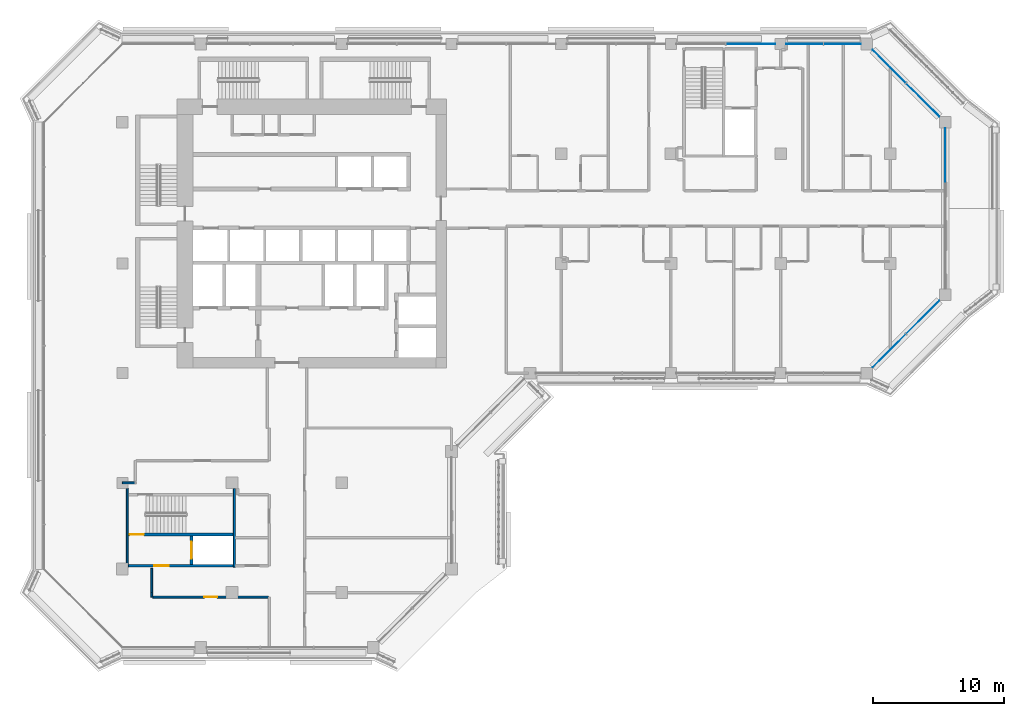
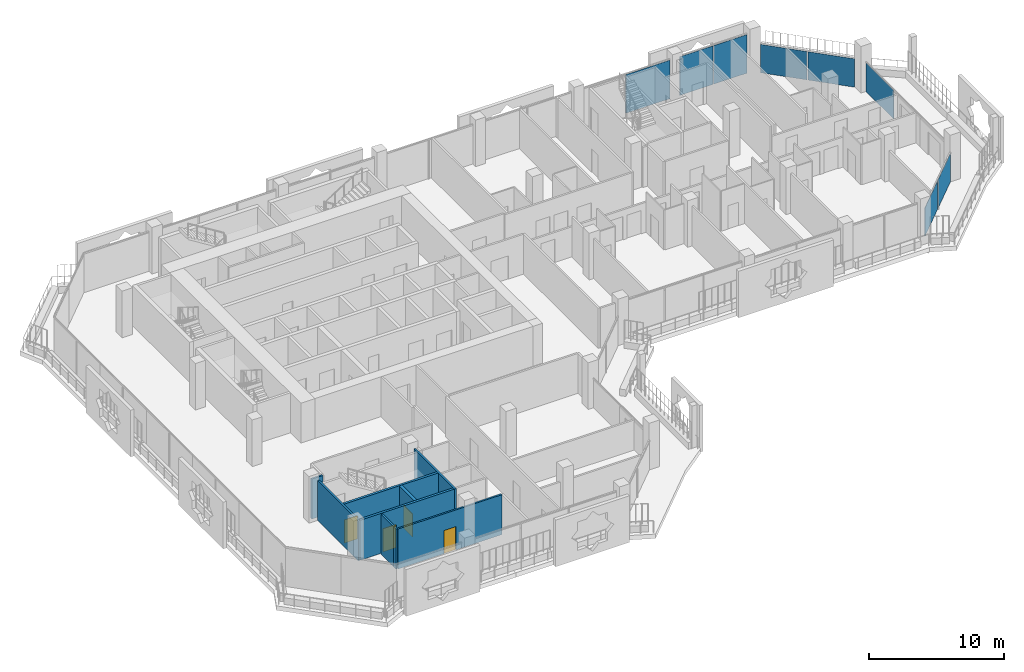
# One storey, part 9 of 23: 9 walls, 8 plates, 4 doors, 4 openings, 4 elements without a shape of their own.
"""IFC4 building model written with IfcOpenShell, lengths in metres."""

from ifc_helpers import new_model, si_unit, direction, frame, frame_2d, origin, origin_2d, place, context, subcontext, project, spatial, rectangle, extrude, material, layer, layer_set, type_object, element, fill, aggregate, save


model = new_model("IFC4")

# Units and contexts
model_context = context("Model", 3, precision=1e-05, world=origin(), true_north=direction((0.0, 1.0)))
body_context = subcontext(model_context, "Body", "Model", "MODEL_VIEW")
ifc_project = project(units=[si_unit("LENGTHUNIT", "METRE"), si_unit("AREAUNIT", "SQUARE_METRE"), si_unit("VOLUMEUNIT", "CUBIC_METRE"), si_unit("PLANEANGLEUNIT", "RADIAN"), si_unit("MASSUNIT", "GRAM", prefix="KILO")], contexts=[model_context])

# Site, building, storey
site_placement = place(None, origin())
site = spatial("IfcSite", under=ifc_project, at=site_placement, CompositionType="ELEMENT")
building_placement = place(site_placement, origin())
building = spatial("IfcBuilding", under=site, at=building_placement, Name="Kawkab Arch Medical Tower", CompositionType="ELEMENT")
storey_placement = place(building_placement, frame((0.0, 0.0, 247.39990234375)))
storey = spatial("IfcBuildingStorey", under=building, at=storey_placement, Name="L57", CompositionType="ELEMENT", Elevation=247.39990234375)

# Curtain wall, plate
ifc_material_1 = material(Name="Bronze anodised aluminium curtain wall frame", Category="aluminium")
ifc_layer_1 = layer(ifc_material_1, 0.159912109375)
ifc_layer_set_1 = layer_set([ifc_layer_1], Name="Bronze anodised aluminium curtain wall frame")
curtain_wall_type_1 = type_object("IfcCurtainWallType", Name="CW1 ward curtain wall", PredefinedType="NOTDEFINED", material=ifc_layer_set_1)
placement = place(storey_placement, origin())
curtain_wall_1 = element("IfcCurtainWall", 1, at=placement, inside=storey, type_object=curtain_wall_type_1, Name="CW1 Ward curtain wall R09", PredefinedType="NOTDEFINED")
ifc_material_2 = material(Name="Tinted insulating glass, bronze low-e coating", Category="glass")
ifc_layer_2 = layer(ifc_material_2, 0.031982421875)
ifc_layer_set_2 = layer_set([ifc_layer_2], Name="Tinted insulating glass, bronze low-e coating")
plate_type_1 = type_object("IfcPlateType", Name="CW1 glazing unit 32", PredefinedType="CURTAIN_PANEL", material=ifc_layer_set_2)
plate_1_placement = place(storey_placement, frame((63.0, -8.5, 0.0), z_axis=(0.0, 0.0, 1.0), x_axis=(0.0, 1.0, 0.0)))
plate_1 = element("IfcPlate", 2, at=plate_1_placement, type_object=plate_type_1, Name="CW1 glazing unit 1.3", PredefinedType="CURTAIN_PANEL", context=body_context, shape_type="SweptSolid", body=[
    extrude(rectangle(XDim=4.10009765625, YDim=0.031982421875, at=origin_2d()), origin(), (0.0, 0.0, 1.0), 2.580078125),
])
aggregate(curtain_wall_1, [plate_1])

# Curtain wall, plates
curtain_wall_2 = element("IfcCurtainWall", 3, at=placement, inside=storey, type_object=curtain_wall_type_1, Name="CW1 Ward curtain wall R11", PredefinedType="NOTDEFINED")
plate_2_placement = place(storey_placement, frame((55.1337890625, 0.0, 0.0), z_axis=(0.0, 0.0, 1.0), x_axis=(-1.0, 0.0, 0.0)))
plate_2 = element("IfcPlate", 4, at=plate_2_placement, type_object=plate_type_1, Name="CW1 glazing unit 1.1", PredefinedType="CURTAIN_PANEL", context=body_context, shape_type="SweptSolid", body=[
    extrude(rectangle(XDim=2.83251953125, YDim=0.031982421875, at=origin_2d()), origin(), (0.0, 0.0, 1.0), 3.47998046875),
])
plate_3_placement = place(storey_placement, frame((52.2412109375, 0.0, 0.0), z_axis=(0.0, 0.0, 1.0), x_axis=(-1.0, 0.0, 0.0)))
plate_3 = element("IfcPlate", 5, at=plate_3_placement, type_object=plate_type_1, Name="CW1 glazing unit 1.2", PredefinedType="CURTAIN_PANEL", context=body_context, shape_type="SweptSolid", body=[
    extrude(rectangle(XDim=2.83251953125, YDim=0.031982421875, at=origin_2d()), origin(), (0.0, 0.0, 1.0), 3.47998046875),
])
plate_4_placement = place(storey_placement, frame((48.1025390625, 0.0, 0.0), z_axis=(0.0, 0.0, 1.0), x_axis=(-1.0, 0.0, 0.0)))
plate_4 = element("IfcPlate", 6, at=plate_4_placement, type_object=plate_type_1, Name="CW1 glazing unit 2.1", PredefinedType="CURTAIN_PANEL", context=body_context, shape_type="SweptSolid", body=[
    extrude(rectangle(XDim=3.7451171875, YDim=0.031982421875, at=origin_2d()), origin(), (0.0, 0.0, 1.0), 3.47998046875),
])
aggregate(curtain_wall_2, [plate_2, plate_3, plate_4])

ifc_material_3 = material(Name="Bronze anodised aluminium curtain wall frame", Category="aluminium")
ifc_layer_3 = layer(ifc_material_3, 0.159912109375)
ifc_layer_set_3 = layer_set([ifc_layer_3], Name="Bronze anodised aluminium curtain wall frame")
curtain_wall_type_2 = type_object("IfcCurtainWallType", Name="CW2 chamfer curtain wall", PredefinedType="NOTDEFINED", material=ifc_layer_set_3)
curtain_wall_3 = element("IfcCurtainWall", 7, at=placement, inside=storey, type_object=curtain_wall_type_2, Name="CW2 Chamfer curtain wall R08", PredefinedType="NOTDEFINED")
ifc_material_4 = material(Name="Tinted insulating glass, bronze low-e coating", Category="glass")
ifc_layer_4 = layer(ifc_material_4, 0.031982421875)
ifc_layer_set_4 = layer_set([ifc_layer_4], Name="Tinted insulating glass, bronze low-e coating")
plate_type_2 = type_object("IfcPlateType", Name="CW2 glazing unit 32", PredefinedType="CURTAIN_PANEL", material=ifc_layer_set_4)
plate_5_placement = place(storey_placement, frame((58.71435546875, -23.485595703125, 0.0), z_axis=(0.0, 0.0, 1.0), x_axis=(0.707106781187, 0.707106781187, 0.0)))
plate_5 = element("IfcPlate", 8, at=plate_5_placement, type_object=plate_type_2, Name="CW2 glazing unit 1.1", PredefinedType="CURTAIN_PANEL", context=body_context, shape_type="SweptSolid", body=[
    extrude(rectangle(XDim=3.576171875, YDim=0.031982421875, at=origin_2d()), origin(), (0.0, 0.0, 1.0), 2.56005859375),
])
plate_6_placement = place(storey_placement, frame((61.28564453125, -20.914306640625, 0.0), z_axis=(0.0, 0.0, 1.0), x_axis=(0.707106781187, 0.707106781187, 0.0)))
plate_6 = element("IfcPlate", 9, at=plate_6_placement, type_object=plate_type_2, Name="CW2 glazing unit 1.2", PredefinedType="CURTAIN_PANEL", context=body_context, shape_type="SweptSolid", body=[
    extrude(rectangle(XDim=3.576171875, YDim=0.031982421875, at=origin_2d()), origin(), (0.0, 0.0, 1.0), 2.56005859375),
])
aggregate(curtain_wall_3, [plate_5, plate_6])

curtain_wall_4 = element("IfcCurtainWall", 10, at=placement, inside=storey, type_object=curtain_wall_type_2, Name="CW2 Chamfer curtain wall R10", PredefinedType="NOTDEFINED")
plate_7_placement = place(storey_placement, frame((61.28564453125, -4.28564453125, 0.0), z_axis=(0.0, 0.0, 1.0), x_axis=(-0.707106781187, 0.707106781187, 0.0)))
plate_7 = element("IfcPlate", 11, at=plate_7_placement, type_object=plate_type_2, Name="CW2 glazing unit 1.1", PredefinedType="CURTAIN_PANEL", context=body_context, shape_type="SweptSolid", body=[
    extrude(rectangle(XDim=3.576171875, YDim=0.031982421875, at=origin_2d()), origin(), (0.0, 0.0, 1.0), 2.56005859375),
])
plate_8_placement = place(storey_placement, frame((58.71435546875, -1.71435546875, 0.0), z_axis=(0.0, 0.0, 1.0), x_axis=(-0.707106781187, 0.707106781187, 0.0)))
plate_8 = element("IfcPlate", 12, at=plate_8_placement, type_object=plate_type_2, Name="CW2 glazing unit 1.2", PredefinedType="CURTAIN_PANEL", context=body_context, shape_type="SweptSolid", body=[
    extrude(rectangle(XDim=3.576171875, YDim=0.031982421875, at=origin_2d()), origin(), (0.0, 0.0, 1.0), 2.56005859375),
])
aggregate(curtain_wall_4, [plate_7, plate_8])

# Wall, opening, door
ifc_material_5 = material(Name="Concrete C60/75", Category="concrete")
ifc_layer_5 = layer(ifc_material_5, 0.25)
ifc_layer_set_5 = layer_set([ifc_layer_5], Name="Concrete C60/75")
wall_type_1 = type_object("IfcWallType", Name="Core shear wall 250 C60/75", PredefinedType="SHEAR", material=ifc_layer_set_5)
wall_1_placement = place(storey_placement, frame((5.300048828125, -39.85009765625, 0.0), z_axis=(0.0, 0.0, 1.0), x_axis=(0.0, 1.0, 0.0)))
wall_1 = element("IfcWall", 13, at=wall_1_placement, inside=storey, type_object=wall_type_1, Name="L57 core shear wall", PredefinedType="SHEAR", context=body_context, shape_type="SweptSolid", body=[
    extrude(rectangle(XDim=2.2001953125, YDim=0.25, at=frame_2d((1.10009765625, 0.0))), origin(), (0.0, 0.0, 1.0), 3.60009765625),
])
opening_1_placement = place(wall_1_placement, frame((0.449951171875, 0.0, 0.0)))
opening_1 = element("IfcOpeningElement", 14, at=opening_1_placement, cuts=wall_1, Name="Opening LD2", PredefinedType="OPENING", context=body_context, shape_type="SweptSolid", body=[
    extrude(rectangle(XDim=1.300048828125, YDim=2.10009765625, at=frame_2d((0.64990234375, 1.050048828125))), frame((0.0, 0.135009765625, 0.0), z_axis=(0.0, -1.0, 0.0), x_axis=(1.0, 0.0, 0.0)), (0.0, 0.0, 1.0), 0.27001953125),
])
ifc_material_6 = material(Name="Stainless steel lift door leaf", Category="steel")
door_type_1 = type_object("IfcDoorType", Name="Lift landing door 1300", OperationType="DOUBLE_DOOR_SLIDING", PredefinedType="DOOR", material=ifc_material_6)
door_1_placement = place(opening_1_placement, origin())
door_1 = element("IfcDoor", 15, at=door_1_placement, inside=storey, type_object=door_type_1, Name="L57 Lift landing door SV2", OperationType="DOUBLE_DOOR_SLIDING", OverallHeight=2.10009765625, OverallWidth=1.300048828125, PredefinedType="DOOR", context=body_context, shape_type="SweptSolid", body=[
    extrude(rectangle(XDim=1.300048828125, YDim=2.10009765625, at=frame_2d((0.64990234375, 1.050048828125))), frame((0.0, 0.02490234375, 0.0), z_axis=(0.0, -1.0, 0.0), x_axis=(1.0, 0.0, 0.0)), (0.0, 0.0, 1.0), 0.050048828125),
])
fill(opening_1, door_1)

ifc_material_7 = material(Name="Gypsum board partition on steel studs, mineral wool", Category="steel")
ifc_layer_6 = layer(ifc_material_7, 0.14990234375)
ifc_layer_set_6 = layer_set([ifc_layer_6], Name="Gypsum board partition on steel studs, mineral wool")
wall_type_2 = type_object("IfcWallType", Name="Partition 150", PredefinedType="PARTITIONING", material=ifc_layer_set_6)
wall_2_placement = place(storey_placement, frame((2.327880859375, -42.35009765625, 0.0), z_axis=(0.0, 0.0, 1.0), x_axis=(1.0, 0.0, 0.0)))
wall_2 = element("IfcWall", 16, at=wall_2_placement, inside=storey, type_object=wall_type_2, Name="Partition 150 w019", PredefinedType="PARTITIONING", context=body_context, shape_type="SweptSolid", body=[
    extrude(rectangle(XDim=8.84716796875, YDim=0.14990234375, at=frame_2d((4.423583984375, 0.0))), origin(), (0.0, 0.0, 1.0), 3.60009765625),
])
opening_2_placement = place(wall_2_placement, frame((3.924072265625, 0.0, 0.0)))
opening_2 = element("IfcOpeningElement", 17, at=opening_2_placement, cuts=wall_2, Name="Opening W57-015", PredefinedType="OPENING", context=body_context, shape_type="SweptSolid", body=[
    extrude(rectangle(XDim=1.0, YDim=2.10009765625, at=frame_2d((0.5, 1.050048828125))), frame((0.0, 0.0849609375, 0.0), z_axis=(0.0, -1.0, 0.0), x_axis=(1.0, 0.0, 0.0)), (0.0, 0.0, 1.0), 0.169921875),
])
ifc_material_8 = material(Name="Hollow metal door leaf")
door_type_2 = type_object("IfcDoorType", Name="Single door 1000x2100 FD30S", OperationType="NOTDEFINED", PredefinedType="DOOR", material=ifc_material_8)
door_2_placement = place(opening_2_placement, origin())
door_2 = element("IfcDoor", 18, at=door_2_placement, inside=storey, type_object=door_type_2, Name="Door W57-015", OperationType="SINGLE_SWING_RIGHT", OverallHeight=2.10009765625, OverallWidth=1.0, PredefinedType="DOOR", context=body_context, shape_type="SweptSolid", body=[
    extrude(rectangle(XDim=1.0, YDim=2.10009765625, at=frame_2d((0.5, 1.050048828125))), frame((0.0, 0.02490234375, 0.0), z_axis=(0.0, -1.0, 0.0), x_axis=(1.0, 0.0, 0.0)), (0.0, 0.0, 1.0), 0.050048828125),
])
fill(opening_2, door_2)

# Walls
wall_3_placement = place(storey_placement, frame((0.006103515625, -33.60009765625, 0.0), z_axis=(0.0, 0.0, 1.0), x_axis=(1.0, 0.0, 0.0)))
element("IfcWall", 19, at=wall_3_placement, inside=storey, type_object=wall_type_2, Name="Partition 150 w025", PredefinedType="PARTITIONING", context=body_context, shape_type="SweptSolid", body=[
    extrude(rectangle(XDim=0.94384765625, YDim=0.14990234375, at=frame_2d((0.471923828125, 0.0))), origin(), (0.0, 0.0, 1.0), 3.60009765625),
])
wall_4_placement = place(storey_placement, frame((2.25, -42.345947265625, 0.0), z_axis=(0.0, 0.0, 1.0), x_axis=(0.0, 1.0, 0.0)))
element("IfcWall", 20, at=wall_4_placement, inside=storey, type_object=wall_type_2, Name="Partition 150 w043", PredefinedType="PARTITIONING", context=body_context, shape_type="SweptSolid", body=[
    extrude(rectangle(XDim=0.345947265625, YDim=0.14990234375, at=frame_2d((0.1728515625, 0.0))), origin(), (0.0, 0.0, 1.0), 3.60009765625),
])
wall_5_placement = place(storey_placement, frame((2.25, -41.97998046875, 0.0), z_axis=(0.0, 0.0, 1.0), x_axis=(0.0, 1.0, 0.0)))
element("IfcWall", 21, at=wall_5_placement, inside=storey, type_object=wall_type_2, Name="Partition 150 w044", PredefinedType="PARTITIONING", context=body_context, shape_type="SweptSolid", body=[
    extrude(rectangle(XDim=1.830078125, YDim=0.14990234375, at=frame_2d((0.9150390625, 0.0))), origin(), (0.0, 0.0, 1.0), 3.60009765625),
])
ifc_material_9 = material(Name="Concrete C50/60", Category="concrete")
ifc_layer_7 = layer(ifc_material_9, 0.14990234375)
ifc_layer_set_7 = layer_set([ifc_layer_7], Name="Concrete C50/60")
wall_type_3 = type_object("IfcWallType", Name="Stair enclosure wall 150 C50/60", PredefinedType="SHEAR", material=ifc_layer_set_7)
wall_6_placement = place(storey_placement, frame((0.375, -40.050048828125, 0.0), z_axis=(0.0, 0.0, 1.0), x_axis=(0.0, 1.0, 0.0)))
element("IfcWall", 22, at=wall_6_placement, inside=storey, type_object=wall_type_3, Name="L57 stair enclosure wall", PredefinedType="SHEAR", context=body_context, shape_type="SweptSolid", body=[
    extrude(rectangle(XDim=6.025146484375, YDim=0.14990234375, at=frame_2d((3.0126953125, 0.0))), origin(), (0.0, 0.0, 1.0), 3.60009765625),
])
wall_7_placement = place(storey_placement, frame((8.574951171875, -40.050048828125, 0.0), z_axis=(0.0, 0.0, 1.0), x_axis=(0.0, 1.0, 0.0)))
element("IfcWall", 23, at=wall_7_placement, inside=storey, type_object=wall_type_3, Name="L57 stair enclosure wall", PredefinedType="SHEAR", context=body_context, shape_type="SweptSolid", body=[
    extrude(rectangle(XDim=6.0, YDim=0.14990234375, at=frame_2d((3.0, 0.0))), origin(), (0.0, 0.0, 1.0), 3.60009765625),
])

# Wall, opening, door
ifc_material_10 = material(Name="Concrete C50/60", Category="concrete")
ifc_layer_8 = layer(ifc_material_10, 0.199951171875)
ifc_layer_set_8 = layer_set([ifc_layer_8], Name="Concrete C50/60")
wall_type_4 = type_object("IfcWallType", Name="Stair enclosure wall 200 C50/60", PredefinedType="SHEAR", material=ifc_layer_set_8)
wall_8_placement = place(storey_placement, frame((0.449951171875, -37.550048828125, 0.0), z_axis=(0.0, 0.0, 1.0), x_axis=(1.0, 0.0, 0.0)))
wall_8 = element("IfcWall", 24, at=wall_8_placement, inside=storey, type_object=wall_type_4, Name="L57 stair enclosure wall", PredefinedType="SHEAR", context=body_context, shape_type="SweptSolid", body=[
    extrude(rectangle(XDim=8.050048828125, YDim=0.199951171875, at=frame_2d((4.02490234375, 0.0))), origin(), (0.0, 0.0, 1.0), 3.60009765625),
])
opening_3_placement = place(wall_8_placement, frame((0.10009765625, 0.0, 0.0)))
opening_3 = element("IfcOpeningElement", 25, at=opening_3_placement, cuts=wall_8, Name="Opening SD", PredefinedType="OPENING", context=body_context, shape_type="SweptSolid", body=[
    extrude(rectangle(XDim=1.10009765625, YDim=2.10009765625, at=frame_2d((0.550048828125, 1.050048828125))), frame((0.0, 0.10986328125, 0.0), z_axis=(0.0, -1.0, 0.0), x_axis=(1.0, 0.0, 0.0)), (0.0, 0.0, 1.0), 0.219970703125),
])
ifc_material_11 = material(Name="Hollow metal fire door leaf")
door_type_3 = type_object("IfcDoorType", Name="Exit stair door 1100", OperationType="SINGLE_SWING_LEFT", PredefinedType="DOOR", material=ifc_material_11)
door_3_placement = place(opening_3_placement, frame((1.10009765625, 0.0, 0.0), z_axis=(0.0, 0.0, 1.0), x_axis=(-1.0, 0.0, 0.0)))
door_3 = element("IfcDoor", 26, at=door_3_placement, inside=storey, type_object=door_type_3, Name="L57 Exit stair ST6 lobby door", OperationType="SINGLE_SWING_LEFT", OverallHeight=2.10009765625, OverallWidth=1.10009765625, PredefinedType="DOOR", context=body_context, shape_type="SweptSolid", body=[
    extrude(rectangle(XDim=1.10009765625, YDim=2.10009765625, at=frame_2d((0.550048828125, 1.050048828125))), frame((0.0, 0.02490234375, 0.0), z_axis=(0.0, -1.0, 0.0), x_axis=(1.0, 0.0, 0.0)), (0.0, 0.0, 1.0), 0.050048828125),
])
fill(opening_3, door_3)

wall_9_placement = place(storey_placement, frame((0.449951171875, -39.949951171875, 0.0), z_axis=(0.0, 0.0, 1.0), x_axis=(1.0, 0.0, 0.0)))
wall_9 = element("IfcWall", 27, at=wall_9_placement, inside=storey, type_object=wall_type_4, Name="L57 stair enclosure wall", PredefinedType="SHEAR", context=body_context, shape_type="SweptSolid", body=[
    extrude(rectangle(XDim=8.050048828125, YDim=0.199951171875, at=frame_2d((4.02490234375, 0.0))), origin(), (0.0, 0.0, 1.0), 3.60009765625),
])
opening_4_placement = place(wall_9_placement, frame((2.0, 0.0, 0.0)))
opening_4 = element("IfcOpeningElement", 28, at=opening_4_placement, cuts=wall_9, Name="Opening FD", PredefinedType="OPENING", context=body_context, shape_type="SweptSolid", body=[
    extrude(rectangle(XDim=1.10009765625, YDim=2.10009765625, at=frame_2d((0.550048828125, 1.050048828125))), frame((0.0, 0.10986328125, 0.0), z_axis=(0.0, -1.0, 0.0), x_axis=(1.0, 0.0, 0.0)), (0.0, 0.0, 1.0), 0.219970703125),
])
ifc_material_12 = material(Name="Hollow metal fire door leaf")
door_type_4 = type_object("IfcDoorType", Name="Firefighting lobby door 1100", OperationType="SINGLE_SWING_LEFT", PredefinedType="DOOR", material=ifc_material_12)
door_4_placement = place(opening_4_placement, origin())
door_4 = element("IfcDoor", 29, at=door_4_placement, inside=storey, type_object=door_type_4, Name="L57 Service lift lobby door SV2", OperationType="SINGLE_SWING_LEFT", OverallHeight=2.10009765625, OverallWidth=1.10009765625, PredefinedType="DOOR", context=body_context, shape_type="SweptSolid", body=[
    extrude(rectangle(XDim=1.10009765625, YDim=2.10009765625, at=frame_2d((0.550048828125, 1.050048828125))), frame((0.0, 0.02490234375, 0.0), z_axis=(0.0, -1.0, 0.0), x_axis=(1.0, 0.0, 0.0)), (0.0, 0.0, 1.0), 0.050048828125),
])
fill(opening_4, door_4)

save(model, "model.ifc")
